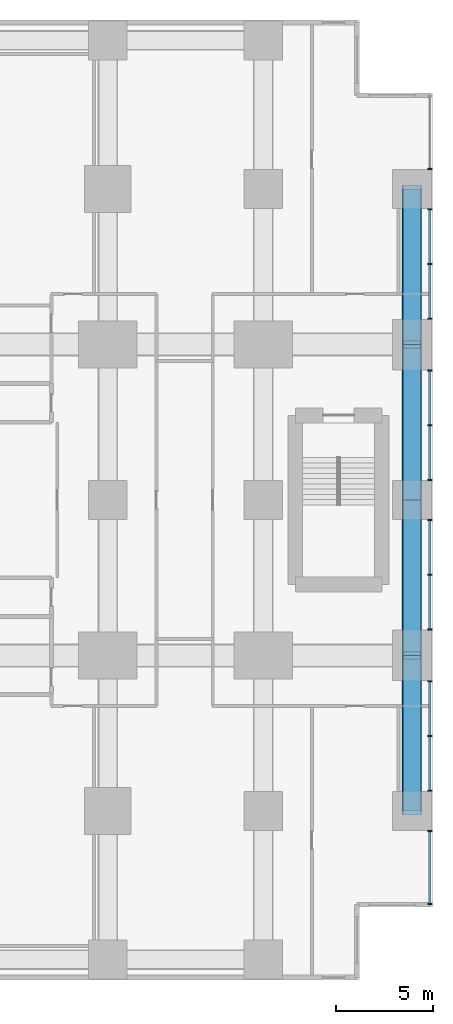
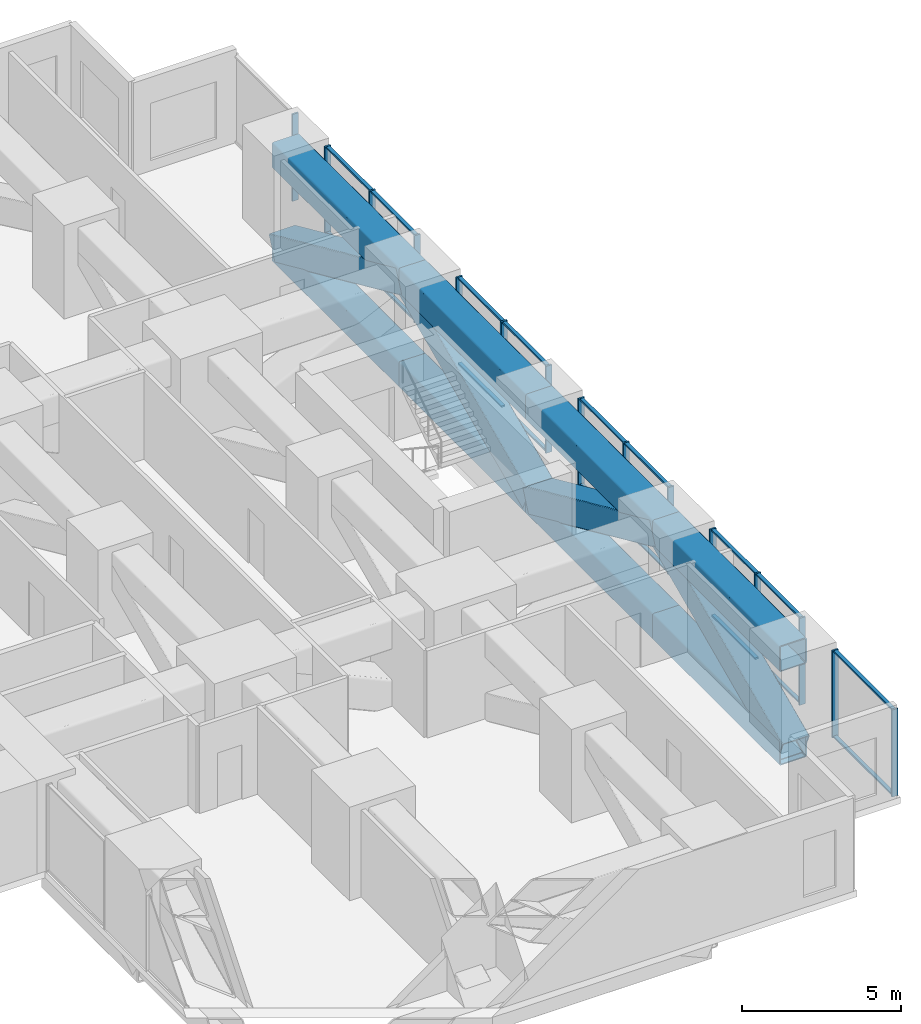
# One storey, part 7 of 15: 45 members, 6 elements without a shape of their own.
"""IFC4 building model written with IfcOpenShell, lengths in metres."""

from ifc_helpers import new_model, si_unit, direction, frame, origin, origin_2d, place, context, subcontext, project, spatial, rectangle, hollow_rectangle, extrude, material, layer, layer_set, material_profile, profile_set, type_object, element, aggregate, save


model = new_model("IFC4")

# Units and contexts
model_context = context("Model", 3, precision=1e-05, world=origin(), true_north=direction((0.0, 1.0)))
body_context = subcontext(model_context, "Body", "Model", "MODEL_VIEW")
ifc_project = project(units=[si_unit("LENGTHUNIT", "METRE"), si_unit("AREAUNIT", "SQUARE_METRE"), si_unit("VOLUMEUNIT", "CUBIC_METRE"), si_unit("PLANEANGLEUNIT", "RADIAN"), si_unit("MASSUNIT", "GRAM", prefix="KILO")], contexts=[model_context])

# Site, building, storey
site_placement = place(None, origin())
site = spatial("IfcSite", under=ifc_project, at=site_placement, CompositionType="ELEMENT")
building_placement = place(site_placement, origin())
building = spatial("IfcBuilding", under=site, at=building_placement, Name="Cleftline Residences", CompositionType="ELEMENT")
storey_placement = place(building_placement, frame((0.0, 0.0, 132.199951171875)))
storey = spatial("IfcBuildingStorey", under=building, at=storey_placement, Name="L34", CompositionType="ELEMENT", Elevation=132.199951171875)

# Members
ifc_material_1 = material(Name="Steel S355", Category="steel")
ifc_material_profile_1 = material_profile(ifc_material_1, hollow_rectangle(XDim=1.0, YDim=1.0, WallThickness=0.0400390625, InnerFilletRadius=0.0400390625, OuterFilletRadius=0.06005859375, at=origin_2d()))
ifc_profile_set_1 = profile_set([ifc_material_profile_1], Name="Steel S355")
member_type_1 = type_object("IfcMemberType", Name="BRACE BOX 1000X1000X40", PredefinedType="BRACE", material=ifc_profile_set_1)
for number, where, z_axis, x_axis, name in (
    (1, (65.64990234375, 8.0, -0.75), (0.0, 0.91191733938, 0.410373934525), (0.0, -0.410373934525, 0.91191733938), "Belt truss diagonal"),
    (2, (65.64990234375, 16.0, 2.85009765625), (0.0, 0.91191733938, -0.410373934525), (0.0, 0.410373934525, 0.91191733938), "Belt truss diagonal"),
    (3, (65.64990234375, 24.0, -0.75), (0.0, 0.91191733938, 0.410373934525), (0.0, -0.410373934525, 0.91191733938), "Belt truss diagonal"),
    (4, (65.64990234375, 32.0, 2.85009765625), (0.0, 0.91191733938, -0.410373934525), (0.0, 0.410373934525, 0.91191733938), "Belt truss diagonal"),
):
    element("IfcMember", number, at=place(storey_placement, frame(where, z_axis=z_axis, x_axis=x_axis)), inside=storey, type_object=member_type_1, Name=name, PredefinedType="BRACE", context=body_context, shape_type="SweptSolid", body=[
        extrude(hollow_rectangle(XDim=1.0, YDim=1.0, WallThickness=0.0400390625, InnerFilletRadius=0.0400390625, OuterFilletRadius=0.06005859375, at=origin_2d()), origin(), (0.0, 0.0, 1.0), 8.772705078125),
    ])
ifc_material_2 = material(Name="Steel S355", Category="steel")
ifc_material_profile_2 = material_profile(ifc_material_2, hollow_rectangle(XDim=1.0, YDim=1.0, WallThickness=0.0400390625, InnerFilletRadius=0.0400390625, OuterFilletRadius=0.06005859375, at=origin_2d()))
ifc_profile_set_2 = profile_set([ifc_material_profile_2], Name="Steel S355")
member_type_2 = type_object("IfcMemberType", Name="CHORD BOX 1000X1000X40", PredefinedType="CHORD", material=ifc_profile_set_2)
for number, where, z_axis, x_axis, name in (
    (5, (65.64990234375, 8.0, -0.75), (0.0, 1.0, 0.0), (-1.0, 0.0, 0.0), "Belt truss bottom chord"),
    (6, (65.64990234375, 8.0, 2.85009765625), (0.0, 1.0, 0.0), (-1.0, 0.0, 0.0), "Belt truss top chord"),
    (7, (65.64990234375, 16.0, -0.75), (0.0, 1.0, 0.0), (-1.0, 0.0, 0.0), "Belt truss bottom chord"),
    (8, (65.64990234375, 16.0, 2.85009765625), (0.0, 1.0, 0.0), (-1.0, 0.0, 0.0), "Belt truss top chord"),
    (9, (65.64990234375, 24.0, -0.75), (0.0, 1.0, 0.0), (-1.0, 0.0, 0.0), "Belt truss bottom chord"),
    (10, (65.64990234375, 24.0, 2.85009765625), (0.0, 1.0, 0.0), (-1.0, 0.0, 0.0), "Belt truss top chord"),
    (11, (65.64990234375, 32.0, -0.75), (0.0, 1.0, 0.0), (-1.0, 0.0, 0.0), "Belt truss bottom chord"),
    (12, (65.64990234375, 32.0, 2.85009765625), (0.0, 1.0, 0.0), (-1.0, 0.0, 0.0), "Belt truss top chord"),
):
    element("IfcMember", number, at=place(storey_placement, frame(where, z_axis=z_axis, x_axis=x_axis)), inside=storey, type_object=member_type_2, Name=name, PredefinedType="CHORD", context=body_context, shape_type="SweptSolid", body=[
        extrude(hollow_rectangle(XDim=1.0, YDim=1.0, WallThickness=0.0400390625, InnerFilletRadius=0.0400390625, OuterFilletRadius=0.06005859375, at=origin_2d()), origin(), (0.0, 0.0, 1.0), 8.0),
    ])

# Curtain wall, members
ifc_material_3 = material(Name="Aluminium framed curtain wall", Category="aluminium")
ifc_layer = layer(ifc_material_3, 0.199951171875)
ifc_layer_set = layer_set([ifc_layer], Name="CW4 SKY LOUNGE GLAZING")
curtain_wall_type = type_object("IfcCurtainWallType", Name="CW4 SKY LOUNGE GLAZING", PredefinedType="NOTDEFINED", material=ifc_layer_set)
curtain_wall_1_placement = place(storey_placement, origin())
curtain_wall_1 = element("IfcCurtainWall", 13, at=curtain_wall_1_placement, inside=storey, type_object=curtain_wall_type, Name="Curtain wall CW4", PredefinedType="NOTDEFINED")
ifc_material_4 = material(Name="Aluminium mullion", Category="aluminium")
ifc_material_profile_3 = material_profile(ifc_material_4, rectangle(XDim=0.219970703125, YDim=0.06494140625, at=origin_2d()))
ifc_profile_set_3 = profile_set([ifc_material_profile_3], Name="Aluminium mullion")
member_type_3 = type_object("IfcMemberType", Name="CW4 MULLION", PredefinedType="MULLION", material=ifc_profile_set_3)
member_1_placement = place(storey_placement, frame((66.574951171875, 3.20751953125, 0.0), z_axis=(0.0, 0.0, 1.0), x_axis=(-1.0, 0.0, 0.0)))
member_1 = element("IfcMember", 14, at=member_1_placement, type_object=member_type_3, Name="CW4 mullion 1", PredefinedType="MULLION", context=body_context, shape_type="SweptSolid", body=[
    extrude(rectangle(XDim=0.219970703125, YDim=0.06494140625, at=origin_2d()), origin(), (0.0, 0.0, 1.0), 3.35009765625),
])
member_2_placement = place(storey_placement, frame((66.574951171875, 6.967529296875, 0.0), z_axis=(0.0, 0.0, 1.0), x_axis=(-1.0, 0.0, 0.0)))
member_2 = element("IfcMember", 15, at=member_2_placement, type_object=member_type_3, Name="CW4 mullion 2", PredefinedType="MULLION", context=body_context, shape_type="SweptSolid", body=[
    extrude(rectangle(XDim=0.219970703125, YDim=0.06494140625, at=origin_2d()), origin(), (0.0, 0.0, 1.0), 3.35009765625),
])

curtain_wall_2_placement = place(storey_placement, origin())
curtain_wall_2 = element("IfcCurtainWall", 16, at=curtain_wall_2_placement, inside=storey, type_object=curtain_wall_type, Name="Curtain wall CW4", PredefinedType="NOTDEFINED")
member_3_placement = place(storey_placement, frame((66.574951171875, 9.032470703125, 0.0), z_axis=(0.0, 0.0, 1.0), x_axis=(-1.0, 0.0, 0.0)))
member_3 = element("IfcMember", 17, at=member_3_placement, type_object=member_type_3, Name="CW4 mullion 1", PredefinedType="MULLION", context=body_context, shape_type="SweptSolid", body=[
    extrude(rectangle(XDim=0.219970703125, YDim=0.06494140625, at=origin_2d()), origin(), (0.0, 0.0, 1.0), 3.35009765625),
])
member_4_placement = place(storey_placement, frame((66.574951171875, 11.85009765625, 0.0), z_axis=(0.0, 0.0, 1.0), x_axis=(-1.0, 0.0, 0.0)))
member_4 = element("IfcMember", 18, at=member_4_placement, type_object=member_type_3, Name="CW4 mullion 2", PredefinedType="MULLION", context=body_context, shape_type="SweptSolid", body=[
    extrude(rectangle(XDim=0.219970703125, YDim=0.06494140625, at=origin_2d()), origin(), (0.0, 0.0, 1.0), 3.35009765625),
])
member_5_placement = place(storey_placement, frame((66.574951171875, 14.66748046875, 0.0), z_axis=(0.0, 0.0, 1.0), x_axis=(-1.0, 0.0, 0.0)))
member_5 = element("IfcMember", 19, at=member_5_placement, type_object=member_type_3, Name="CW4 mullion 3", PredefinedType="MULLION", context=body_context, shape_type="SweptSolid", body=[
    extrude(rectangle(XDim=0.219970703125, YDim=0.06494140625, at=origin_2d()), origin(), (0.0, 0.0, 1.0), 3.35009765625),
])

curtain_wall_3_placement = place(storey_placement, origin())
curtain_wall_3 = element("IfcCurtainWall", 20, at=curtain_wall_3_placement, inside=storey, type_object=curtain_wall_type, Name="Curtain wall CW4", PredefinedType="NOTDEFINED")
member_6_placement = place(storey_placement, frame((66.574951171875, 17.33251953125, 0.0), z_axis=(0.0, 0.0, 1.0), x_axis=(-1.0, 0.0, 0.0)))
member_6 = element("IfcMember", 21, at=member_6_placement, type_object=member_type_3, Name="CW4 mullion 1", PredefinedType="MULLION", context=body_context, shape_type="SweptSolid", body=[
    extrude(rectangle(XDim=0.219970703125, YDim=0.06494140625, at=origin_2d()), origin(), (0.0, 0.0, 1.0), 3.35009765625),
])
member_7_placement = place(storey_placement, frame((66.574951171875, 20.14990234375, 0.0), z_axis=(0.0, 0.0, 1.0), x_axis=(-1.0, 0.0, 0.0)))
member_7 = element("IfcMember", 22, at=member_7_placement, type_object=member_type_3, Name="CW4 mullion 2", PredefinedType="MULLION", context=body_context, shape_type="SweptSolid", body=[
    extrude(rectangle(XDim=0.219970703125, YDim=0.06494140625, at=origin_2d()), origin(), (0.0, 0.0, 1.0), 3.35009765625),
])
member_8_placement = place(storey_placement, frame((66.574951171875, 22.967529296875, 0.0), z_axis=(0.0, 0.0, 1.0), x_axis=(-1.0, 0.0, 0.0)))
member_8 = element("IfcMember", 23, at=member_8_placement, type_object=member_type_3, Name="CW4 mullion 3", PredefinedType="MULLION", context=body_context, shape_type="SweptSolid", body=[
    extrude(rectangle(XDim=0.219970703125, YDim=0.06494140625, at=origin_2d()), origin(), (0.0, 0.0, 1.0), 3.35009765625),
])

curtain_wall_4_placement = place(storey_placement, origin())
curtain_wall_4 = element("IfcCurtainWall", 24, at=curtain_wall_4_placement, inside=storey, type_object=curtain_wall_type, Name="Curtain wall CW4", PredefinedType="NOTDEFINED")
member_9_placement = place(storey_placement, frame((66.574951171875, 25.032470703125, 0.0), z_axis=(0.0, 0.0, 1.0), x_axis=(-1.0, 0.0, 0.0)))
member_9 = element("IfcMember", 25, at=member_9_placement, type_object=member_type_3, Name="CW4 mullion 1", PredefinedType="MULLION", context=body_context, shape_type="SweptSolid", body=[
    extrude(rectangle(XDim=0.219970703125, YDim=0.06494140625, at=origin_2d()), origin(), (0.0, 0.0, 1.0), 3.35009765625),
])
member_10_placement = place(storey_placement, frame((66.574951171875, 27.85009765625, 0.0), z_axis=(0.0, 0.0, 1.0), x_axis=(-1.0, 0.0, 0.0)))
member_10 = element("IfcMember", 26, at=member_10_placement, type_object=member_type_3, Name="CW4 mullion 2", PredefinedType="MULLION", context=body_context, shape_type="SweptSolid", body=[
    extrude(rectangle(XDim=0.219970703125, YDim=0.06494140625, at=origin_2d()), origin(), (0.0, 0.0, 1.0), 3.35009765625),
])
member_11_placement = place(storey_placement, frame((66.574951171875, 30.66748046875, 0.0), z_axis=(0.0, 0.0, 1.0), x_axis=(-1.0, 0.0, 0.0)))
member_11 = element("IfcMember", 27, at=member_11_placement, type_object=member_type_3, Name="CW4 mullion 3", PredefinedType="MULLION", context=body_context, shape_type="SweptSolid", body=[
    extrude(rectangle(XDim=0.219970703125, YDim=0.06494140625, at=origin_2d()), origin(), (0.0, 0.0, 1.0), 3.35009765625),
])

curtain_wall_5_placement = place(storey_placement, origin())
curtain_wall_5 = element("IfcCurtainWall", 28, at=curtain_wall_5_placement, inside=storey, type_object=curtain_wall_type, Name="Curtain wall CW4", PredefinedType="NOTDEFINED")
member_12_placement = place(storey_placement, frame((66.574951171875, 33.33251953125, 0.0), z_axis=(0.0, 0.0, 1.0), x_axis=(-1.0, 0.0, 0.0)))
member_12 = element("IfcMember", 29, at=member_12_placement, type_object=member_type_3, Name="CW4 mullion 1", PredefinedType="MULLION", context=body_context, shape_type="SweptSolid", body=[
    extrude(rectangle(XDim=0.219970703125, YDim=0.06494140625, at=origin_2d()), origin(), (0.0, 0.0, 1.0), 3.35009765625),
])
member_13_placement = place(storey_placement, frame((66.574951171875, 36.14990234375, 0.0), z_axis=(0.0, 0.0, 1.0), x_axis=(-1.0, 0.0, 0.0)))
member_13 = element("IfcMember", 30, at=member_13_placement, type_object=member_type_3, Name="CW4 mullion 2", PredefinedType="MULLION", context=body_context, shape_type="SweptSolid", body=[
    extrude(rectangle(XDim=0.219970703125, YDim=0.06494140625, at=origin_2d()), origin(), (0.0, 0.0, 1.0), 3.35009765625),
])
member_14_placement = place(storey_placement, frame((66.574951171875, 38.967529296875, 0.0), z_axis=(0.0, 0.0, 1.0), x_axis=(-1.0, 0.0, 0.0)))
member_14 = element("IfcMember", 31, at=member_14_placement, type_object=member_type_3, Name="CW4 mullion 3", PredefinedType="MULLION", context=body_context, shape_type="SweptSolid", body=[
    extrude(rectangle(XDim=0.219970703125, YDim=0.06494140625, at=origin_2d()), origin(), (0.0, 0.0, 1.0), 3.35009765625),
])

# Curtain wall, member
curtain_wall_6_placement = place(storey_placement, origin())
curtain_wall_6 = element("IfcCurtainWall", 32, at=curtain_wall_6_placement, inside=storey, type_object=curtain_wall_type, Name="Curtain wall CW4", PredefinedType="NOTDEFINED")
member_15_placement = place(storey_placement, frame((66.574951171875, 41.032470703125, 0.0), z_axis=(0.0, 0.0, 1.0), x_axis=(-1.0, 0.0, 0.0)))
member_15 = element("IfcMember", 33, at=member_15_placement, type_object=member_type_3, Name="CW4 mullion 1", PredefinedType="MULLION", context=body_context, shape_type="SweptSolid", body=[
    extrude(rectangle(XDim=0.219970703125, YDim=0.06494140625, at=origin_2d()), origin(), (0.0, 0.0, 1.0), 3.35009765625),
])
aggregate(curtain_wall_6, [member_15])

# Member
ifc_material_5 = material(Name="Aluminium transom", Category="aluminium")
ifc_material_profile_4 = material_profile(ifc_material_5, rectangle(XDim=0.132080078125, YDim=0.06494140625, at=origin_2d()))
ifc_profile_set_4 = profile_set([ifc_material_profile_4], Name="Aluminium transom")
member_type_4 = type_object("IfcMemberType", Name="CW4 TRANSOM", PredefinedType="USERDEFINED", material=ifc_profile_set_4)
member_16_placement = place(storey_placement, frame((66.574951171875, 3.239990234375, 0.032470703125), z_axis=(0.0, 1.0, 0.0), x_axis=(-1.0, 0.0, 0.0)))
member_16 = element("IfcMember", 34, at=member_16_placement, type_object=member_type_4, Name="CW4 transom 1.1", ObjectType="TRANSOM", PredefinedType="USERDEFINED", context=body_context, shape_type="SweptSolid", body=[
    extrude(rectangle(XDim=0.132080078125, YDim=0.06494140625, at=origin_2d()), origin(), (0.0, 0.0, 1.0), 3.695068359375),
])

member_17_placement = place(storey_placement, frame((66.574951171875, 3.239990234375, 3.317626953125), z_axis=(0.0, 1.0, 0.0), x_axis=(-1.0, 0.0, 0.0)))
member_17 = element("IfcMember", 35, at=member_17_placement, type_object=member_type_4, Name="CW4 transom 1.2", ObjectType="TRANSOM", PredefinedType="USERDEFINED", context=body_context, shape_type="SweptSolid", body=[
    extrude(rectangle(XDim=0.132080078125, YDim=0.06494140625, at=origin_2d()), origin(), (0.0, 0.0, 1.0), 3.695068359375),
])

aggregate(curtain_wall_1, [member_1, member_2, member_16, member_17])

member_18_placement = place(storey_placement, frame((66.574951171875, 9.06494140625, 0.032470703125), z_axis=(0.0, 1.0, 0.0), x_axis=(-1.0, 0.0, 0.0)))
member_18 = element("IfcMember", 36, at=member_18_placement, type_object=member_type_4, Name="CW4 transom 1.1", ObjectType="TRANSOM", PredefinedType="USERDEFINED", context=body_context, shape_type="SweptSolid", body=[
    extrude(rectangle(XDim=0.132080078125, YDim=0.06494140625, at=origin_2d()), origin(), (0.0, 0.0, 1.0), 2.75244140625),
])

member_19_placement = place(storey_placement, frame((66.574951171875, 9.06494140625, 3.317626953125), z_axis=(0.0, 1.0, 0.0), x_axis=(-1.0, 0.0, 0.0)))
member_19 = element("IfcMember", 37, at=member_19_placement, type_object=member_type_4, Name="CW4 transom 1.2", ObjectType="TRANSOM", PredefinedType="USERDEFINED", context=body_context, shape_type="SweptSolid", body=[
    extrude(rectangle(XDim=0.132080078125, YDim=0.06494140625, at=origin_2d()), origin(), (0.0, 0.0, 1.0), 2.75244140625),
])

member_20_placement = place(storey_placement, frame((66.574951171875, 11.882568359375, 0.032470703125), z_axis=(0.0, 1.0, 0.0), x_axis=(-1.0, 0.0, 0.0)))
member_20 = element("IfcMember", 38, at=member_20_placement, type_object=member_type_4, Name="CW4 transom 2.1", ObjectType="TRANSOM", PredefinedType="USERDEFINED", context=body_context, shape_type="SweptSolid", body=[
    extrude(rectangle(XDim=0.132080078125, YDim=0.06494140625, at=origin_2d()), origin(), (0.0, 0.0, 1.0), 2.75244140625),
])

member_21_placement = place(storey_placement, frame((66.574951171875, 11.882568359375, 3.317626953125), z_axis=(0.0, 1.0, 0.0), x_axis=(-1.0, 0.0, 0.0)))
member_21 = element("IfcMember", 39, at=member_21_placement, type_object=member_type_4, Name="CW4 transom 2.2", ObjectType="TRANSOM", PredefinedType="USERDEFINED", context=body_context, shape_type="SweptSolid", body=[
    extrude(rectangle(XDim=0.132080078125, YDim=0.06494140625, at=origin_2d()), origin(), (0.0, 0.0, 1.0), 2.75244140625),
])

aggregate(curtain_wall_2, [member_3, member_4, member_5, member_18, member_19, member_20, member_21])

member_22_placement = place(storey_placement, frame((66.574951171875, 17.364990234375, 0.032470703125), z_axis=(0.0, 1.0, 0.0), x_axis=(-1.0, 0.0, 0.0)))
member_22 = element("IfcMember", 40, at=member_22_placement, type_object=member_type_4, Name="CW4 transom 1.1", ObjectType="TRANSOM", PredefinedType="USERDEFINED", context=body_context, shape_type="SweptSolid", body=[
    extrude(rectangle(XDim=0.132080078125, YDim=0.06494140625, at=origin_2d()), origin(), (0.0, 0.0, 1.0), 2.75244140625),
])

member_23_placement = place(storey_placement, frame((66.574951171875, 17.364990234375, 3.317626953125), z_axis=(0.0, 1.0, 0.0), x_axis=(-1.0, 0.0, 0.0)))
member_23 = element("IfcMember", 41, at=member_23_placement, type_object=member_type_4, Name="CW4 transom 1.2", ObjectType="TRANSOM", PredefinedType="USERDEFINED", context=body_context, shape_type="SweptSolid", body=[
    extrude(rectangle(XDim=0.132080078125, YDim=0.06494140625, at=origin_2d()), origin(), (0.0, 0.0, 1.0), 2.75244140625),
])

member_24_placement = place(storey_placement, frame((66.574951171875, 20.1826171875, 0.032470703125), z_axis=(0.0, 1.0, 0.0), x_axis=(-1.0, 0.0, 0.0)))
member_24 = element("IfcMember", 42, at=member_24_placement, type_object=member_type_4, Name="CW4 transom 2.1", ObjectType="TRANSOM", PredefinedType="USERDEFINED", context=body_context, shape_type="SweptSolid", body=[
    extrude(rectangle(XDim=0.132080078125, YDim=0.06494140625, at=origin_2d()), origin(), (0.0, 0.0, 1.0), 2.75244140625),
])

member_25_placement = place(storey_placement, frame((66.574951171875, 20.1826171875, 3.317626953125), z_axis=(0.0, 1.0, 0.0), x_axis=(-1.0, 0.0, 0.0)))
member_25 = element("IfcMember", 43, at=member_25_placement, type_object=member_type_4, Name="CW4 transom 2.2", ObjectType="TRANSOM", PredefinedType="USERDEFINED", context=body_context, shape_type="SweptSolid", body=[
    extrude(rectangle(XDim=0.132080078125, YDim=0.06494140625, at=origin_2d()), origin(), (0.0, 0.0, 1.0), 2.75244140625),
])

aggregate(curtain_wall_3, [member_6, member_7, member_8, member_22, member_23, member_24, member_25])

member_26_placement = place(storey_placement, frame((66.574951171875, 25.06494140625, 0.032470703125), z_axis=(0.0, 1.0, 0.0), x_axis=(-1.0, 0.0, 0.0)))
member_26 = element("IfcMember", 44, at=member_26_placement, type_object=member_type_4, Name="CW4 transom 1.1", ObjectType="TRANSOM", PredefinedType="USERDEFINED", context=body_context, shape_type="SweptSolid", body=[
    extrude(rectangle(XDim=0.132080078125, YDim=0.06494140625, at=origin_2d()), origin(), (0.0, 0.0, 1.0), 2.75244140625),
])

member_27_placement = place(storey_placement, frame((66.574951171875, 25.06494140625, 3.317626953125), z_axis=(0.0, 1.0, 0.0), x_axis=(-1.0, 0.0, 0.0)))
member_27 = element("IfcMember", 45, at=member_27_placement, type_object=member_type_4, Name="CW4 transom 1.2", ObjectType="TRANSOM", PredefinedType="USERDEFINED", context=body_context, shape_type="SweptSolid", body=[
    extrude(rectangle(XDim=0.132080078125, YDim=0.06494140625, at=origin_2d()), origin(), (0.0, 0.0, 1.0), 2.75244140625),
])

member_28_placement = place(storey_placement, frame((66.574951171875, 27.882568359375, 0.032470703125), z_axis=(0.0, 1.0, 0.0), x_axis=(-1.0, 0.0, 0.0)))
member_28 = element("IfcMember", 46, at=member_28_placement, type_object=member_type_4, Name="CW4 transom 2.1", ObjectType="TRANSOM", PredefinedType="USERDEFINED", context=body_context, shape_type="SweptSolid", body=[
    extrude(rectangle(XDim=0.132080078125, YDim=0.06494140625, at=origin_2d()), origin(), (0.0, 0.0, 1.0), 2.75244140625),
])

member_29_placement = place(storey_placement, frame((66.574951171875, 27.882568359375, 3.317626953125), z_axis=(0.0, 1.0, 0.0), x_axis=(-1.0, 0.0, 0.0)))
member_29 = element("IfcMember", 47, at=member_29_placement, type_object=member_type_4, Name="CW4 transom 2.2", ObjectType="TRANSOM", PredefinedType="USERDEFINED", context=body_context, shape_type="SweptSolid", body=[
    extrude(rectangle(XDim=0.132080078125, YDim=0.06494140625, at=origin_2d()), origin(), (0.0, 0.0, 1.0), 2.75244140625),
])

aggregate(curtain_wall_4, [member_9, member_10, member_11, member_26, member_27, member_28, member_29])

member_30_placement = place(storey_placement, frame((66.574951171875, 33.364990234375, 0.032470703125), z_axis=(0.0, 1.0, 0.0), x_axis=(-1.0, 0.0, 0.0)))
member_30 = element("IfcMember", 48, at=member_30_placement, type_object=member_type_4, Name="CW4 transom 1.1", ObjectType="TRANSOM", PredefinedType="USERDEFINED", context=body_context, shape_type="SweptSolid", body=[
    extrude(rectangle(XDim=0.132080078125, YDim=0.06494140625, at=origin_2d()), origin(), (0.0, 0.0, 1.0), 2.75244140625),
])

member_31_placement = place(storey_placement, frame((66.574951171875, 33.364990234375, 3.317626953125), z_axis=(0.0, 1.0, 0.0), x_axis=(-1.0, 0.0, 0.0)))
member_31 = element("IfcMember", 49, at=member_31_placement, type_object=member_type_4, Name="CW4 transom 1.2", ObjectType="TRANSOM", PredefinedType="USERDEFINED", context=body_context, shape_type="SweptSolid", body=[
    extrude(rectangle(XDim=0.132080078125, YDim=0.06494140625, at=origin_2d()), origin(), (0.0, 0.0, 1.0), 2.75244140625),
])

member_32_placement = place(storey_placement, frame((66.574951171875, 36.1826171875, 0.032470703125), z_axis=(0.0, 1.0, 0.0), x_axis=(-1.0, 0.0, 0.0)))
member_32 = element("IfcMember", 50, at=member_32_placement, type_object=member_type_4, Name="CW4 transom 2.1", ObjectType="TRANSOM", PredefinedType="USERDEFINED", context=body_context, shape_type="SweptSolid", body=[
    extrude(rectangle(XDim=0.132080078125, YDim=0.06494140625, at=origin_2d()), origin(), (0.0, 0.0, 1.0), 2.75244140625),
])

member_33_placement = place(storey_placement, frame((66.574951171875, 36.1826171875, 3.317626953125), z_axis=(0.0, 1.0, 0.0), x_axis=(-1.0, 0.0, 0.0)))
member_33 = element("IfcMember", 51, at=member_33_placement, type_object=member_type_4, Name="CW4 transom 2.2", ObjectType="TRANSOM", PredefinedType="USERDEFINED", context=body_context, shape_type="SweptSolid", body=[
    extrude(rectangle(XDim=0.132080078125, YDim=0.06494140625, at=origin_2d()), origin(), (0.0, 0.0, 1.0), 2.75244140625),
])

aggregate(curtain_wall_5, [member_12, member_13, member_14, member_30, member_31, member_32, member_33])

save(model, "model.ifc")
